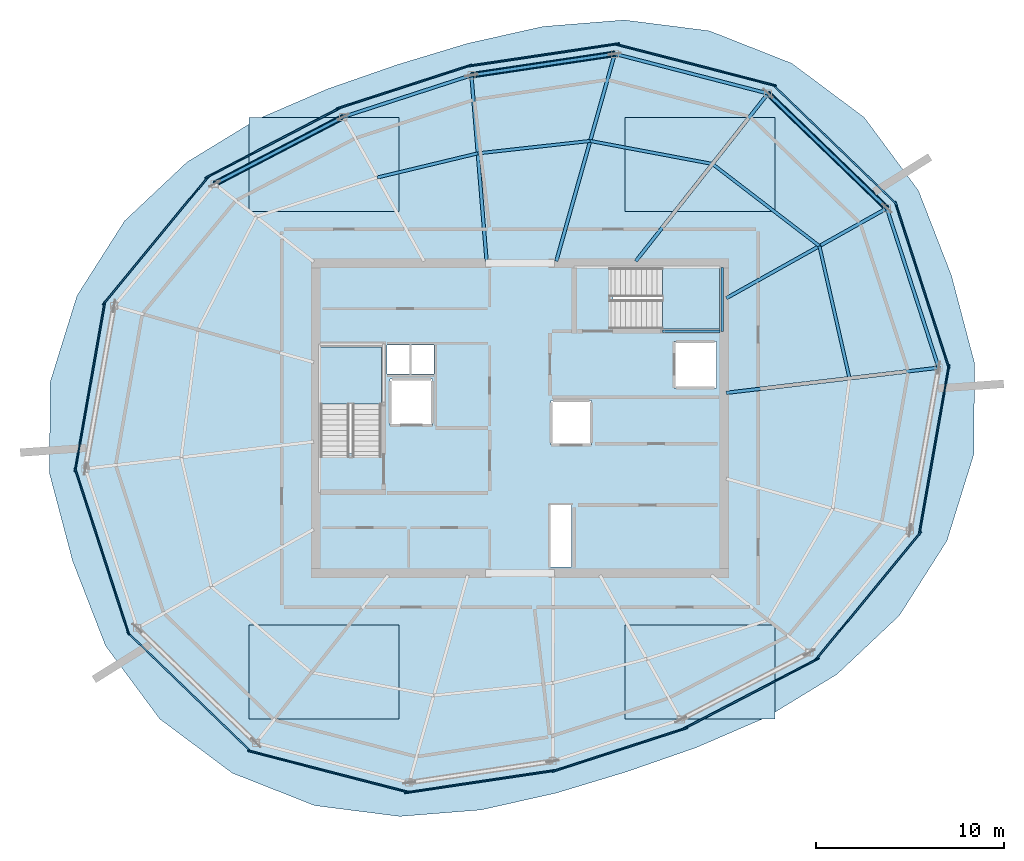
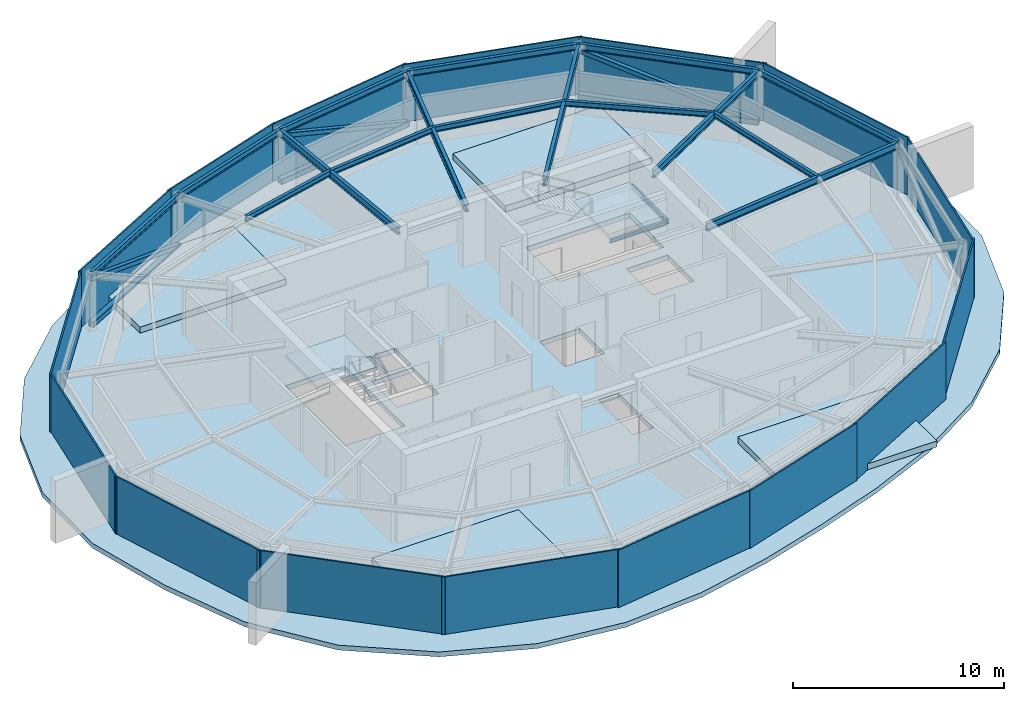
# One storey, part 5 of 10: 18 beams, 16 plates, 7 slabs, 6 members, 2 elements without a shape of their own.
"""IFC4 building model written with IfcOpenShell, lengths in metres."""

from ifc_helpers import new_model, si_unit, direction, frame, origin, origin_2d, place, context, subcontext, project, spatial, polyline, rectangle, hollow_rectangle, i_section, outline, extrude, material, layer, layer_set, material_profile, profile_set, type_object, element, aggregate, save


model = new_model("IFC4")

# Units and contexts
model_context = context("Model", 3, precision=1e-05, world=origin(), true_north=direction((0.0, 1.0)))
body_context = subcontext(model_context, "Body", "Model", "MODEL_VIEW")
ifc_project = project(units=[si_unit("LENGTHUNIT", "METRE"), si_unit("AREAUNIT", "SQUARE_METRE"), si_unit("VOLUMEUNIT", "CUBIC_METRE"), si_unit("PLANEANGLEUNIT", "RADIAN"), si_unit("MASSUNIT", "GRAM", prefix="KILO")], contexts=[model_context])

# Site, building, storey
site_placement = place(None, origin())
site = spatial("IfcSite", under=ifc_project, at=site_placement, CompositionType="ELEMENT")
building_placement = place(site_placement, origin())
building = spatial("IfcBuilding", under=site, at=building_placement, Name="Kazma Halo Residences", CompositionType="ELEMENT")
storey_placement = place(building_placement, frame((0.0, 0.0, 363.199951171875)))
storey = spatial("IfcBuildingStorey", under=building, at=storey_placement, Name="L91", CompositionType="ELEMENT", Elevation=363.199951171875)

# Beams
ifc_material_1 = material(Name="Steel S355", Category="steel")
ifc_material_profile_1 = material_profile(ifc_material_1, i_section(OverallWidth=0.177978515625, OverallDepth=0.406982421875, WebThickness=0.0078125, FlangeThickness=0.0126953125, FilletRadius=0.013916015625, at=origin_2d()), Name="W410x60")
ifc_profile_set_1 = profile_set([ifc_material_profile_1], Name="Steel S355")
beam_type_1 = type_object("IfcBeamType", Name="BM-RAD-W410", PredefinedType="BEAM", material=ifc_profile_set_1)
beam_1_placement = place(storey_placement, frame((59.39990234375, 48.38427734375, 3.116455078125), z_axis=(0.872500487018, 0.488613241894, 0.0), x_axis=(-0.488613241894, 0.872500487018, 0.0)))
element("IfcBeam", 1, at=beam_1_placement, inside=storey, type_object=beam_type_1, Name="L91 radial floor beam 01", PredefinedType="BEAM", context=body_context, shape_type="SweptSolid", body=[
    extrude(i_section(OverallWidth=0.177978515625, OverallDepth=0.406982421875, WebThickness=0.0078125, FlangeThickness=0.0126953125, FilletRadius=0.013916015625, at=origin_2d()), origin(), (0.0, 0.0, 1.0), 9.788818359375),
])
beam_2_placement = place(storey_placement, frame((54.58251953125, 50.35009765625, 3.116455078125), z_axis=(0.619100773028, 0.785311551447, 0.0), x_axis=(-0.785311551447, 0.619100773028, 0.0)))
element("IfcBeam", 2, at=beam_2_placement, inside=storey, type_object=beam_type_1, Name="L91 radial floor beam 02", PredefinedType="BEAM", context=body_context, shape_type="SweptSolid", body=[
    extrude(i_section(OverallWidth=0.177978515625, OverallDepth=0.406982421875, WebThickness=0.0078125, FlangeThickness=0.0126953125, FilletRadius=0.013916015625, at=origin_2d()), origin(), (0.0, 0.0, 1.0), 11.363037109375),
])
beam_3_placement = place(storey_placement, frame((50.35498046875, 50.35009765625, 3.116455078125), z_axis=(0.271433859027, 0.962457095238, 0.0), x_axis=(-0.962457095238, 0.271433859027, 0.0)))
element("IfcBeam", 3, at=beam_3_placement, inside=storey, type_object=beam_type_1, Name="L91 radial floor beam 03", PredefinedType="BEAM", context=body_context, shape_type="SweptSolid", body=[
    extrude(i_section(OverallWidth=0.177978515625, OverallDepth=0.406982421875, WebThickness=0.0078125, FlangeThickness=0.0126953125, FilletRadius=0.013916015625, at=origin_2d()), origin(), (0.0, 0.0, 1.0), 11.462646484375),
])
beam_4_placement = place(storey_placement, frame((46.64990234375, 50.35009765625, 3.116455078125), z_axis=(-0.081506605081, 0.996672801539, 0.0), x_axis=(-0.996672801539, -0.081506605081, 0.0)))
element("IfcBeam", 4, at=beam_4_placement, inside=storey, type_object=beam_type_1, Name="L91 radial floor beam 04", PredefinedType="BEAM", context=body_context, shape_type="SweptSolid", body=[
    extrude(i_section(OverallWidth=0.177978515625, OverallDepth=0.406982421875, WebThickness=0.0078125, FlangeThickness=0.0126953125, FilletRadius=0.013916015625, at=origin_2d()), origin(), (0.0, 0.0, 1.0), 9.926513671875),
])
beam_5_placement = place(storey_placement, frame((59.39990234375, 43.349365234375, 3.116455078125), z_axis=(0.993069497533, 0.117528605327, 0.0), x_axis=(-0.117528605327, 0.993069497533, 0.0)))
element("IfcBeam", 5, at=beam_5_placement, inside=storey, type_object=beam_type_1, Name="L91 radial floor beam 16", PredefinedType="BEAM", context=body_context, shape_type="SweptSolid", body=[
    extrude(i_section(OverallWidth=0.177978515625, OverallDepth=0.406982421875, WebThickness=0.0078125, FlangeThickness=0.0126953125, FilletRadius=0.013916015625, at=origin_2d()), origin(), (0.0, 0.0, 1.0), 11.375244140625),
])
ifc_material_profile_2 = material_profile(ifc_material_1, i_section(OverallWidth=0.1650390625, OverallDepth=0.31005859375, WebThickness=0.005859375, FlangeThickness=0.009765625, FilletRadius=0.011962890625, at=origin_2d()), Name="W310x38.7")
ifc_profile_set_2 = profile_set([ifc_material_profile_2], Name="Steel S355")
beam_type_2 = type_object("IfcBeamType", Name="BM-SEC-W310B", PredefinedType="JOIST", material=ifc_profile_set_2)
beam_6_placement = place(storey_placement, frame((64.353515625, 51.158447265625, 3.1650390625), z_axis=(-0.793314295729, 0.608812309494, 0.0), x_axis=(-0.608812309494, -0.793314295729, 0.0)))
element("IfcBeam", 6, at=beam_6_placement, inside=storey, type_object=beam_type_2, Name="L91 circumferential floor joist 01", PredefinedType="JOIST", context=body_context, shape_type="SweptSolid", body=[
    extrude(i_section(OverallWidth=0.1650390625, OverallDepth=0.31005859375, WebThickness=0.005859375, FlangeThickness=0.009765625, FilletRadius=0.011962890625, at=origin_2d()), origin(), (0.0, 0.0, 1.0), 7.17333984375),
])
beam_7_placement = place(storey_placement, frame((58.662841796875, 55.525634765625, 3.1650390625), z_axis=(-0.982768028721, 0.184843181435, 0.0), x_axis=(-0.184843181435, -0.982768028721, 0.0)))
element("IfcBeam", 7, at=beam_7_placement, inside=storey, type_object=beam_type_2, Name="L91 circumferential floor joist 02", PredefinedType="JOIST", context=body_context, shape_type="SweptSolid", body=[
    extrude(i_section(OverallWidth=0.1650390625, OverallDepth=0.31005859375, WebThickness=0.005859375, FlangeThickness=0.009765625, FilletRadius=0.011962890625, at=origin_2d()), origin(), (0.0, 0.0, 1.0), 6.6171875),
])
beam_8_placement = place(storey_placement, frame((52.15966796875, 56.748779296875, 3.1650390625), z_axis=(-0.993955293014, -0.109785588714, 0.0), x_axis=(0.109785588714, -0.993955293014, 0.0)))
element("IfcBeam", 8, at=beam_8_placement, inside=storey, type_object=beam_type_2, Name="L91 circumferential floor joist 03", PredefinedType="JOIST", context=body_context, shape_type="SweptSolid", body=[
    extrude(i_section(OverallWidth=0.1650390625, OverallDepth=0.31005859375, WebThickness=0.005859375, FlangeThickness=0.009765625, FilletRadius=0.011962890625, at=origin_2d()), origin(), (0.0, 0.0, 1.0), 6.015380859375),
])
beam_9_placement = place(storey_placement, frame((46.1806640625, 56.08837890625, 3.1650390625), z_axis=(-0.972370386067, -0.233443424194, 0.0), x_axis=(0.233443424194, -0.972370386067, 0.0)))
element("IfcBeam", 9, at=beam_9_placement, inside=storey, type_object=beam_type_2, Name="L91 circumferential floor joist 04", PredefinedType="JOIST", context=body_context, shape_type="SweptSolid", body=[
    extrude(i_section(OverallWidth=0.1650390625, OverallDepth=0.31005859375, WebThickness=0.005859375, FlangeThickness=0.009765625, FilletRadius=0.011962890625, at=origin_2d()), origin(), (0.0, 0.0, 1.0), 5.503173828125),
])
beam_10_placement = place(storey_placement, frame((65.951904296875, 44.124755859375, 3.1650390625), z_axis=(-0.221597696416, 0.975138175308, 0.0), x_axis=(-0.975138175308, -0.221597696416, 0.0)))
element("IfcBeam", 10, at=beam_10_placement, inside=storey, type_object=beam_type_2, Name="L91 circumferential floor joist 16", PredefinedType="JOIST", context=body_context, shape_type="SweptSolid", body=[
    extrude(i_section(OverallWidth=0.1650390625, OverallDepth=0.31005859375, WebThickness=0.005859375, FlangeThickness=0.009765625, FilletRadius=0.011962890625, at=origin_2d()), origin(), (0.0, 0.0, 1.0), 7.213134765625),
])
ifc_material_profile_3 = material_profile(ifc_material_1, i_section(OverallWidth=0.1708984375, OverallDepth=0.35498046875, WebThickness=0.007080078125, FlangeThickness=0.01171875, FilletRadius=0.013916015625, at=origin_2d()), Name="W360x51")
ifc_profile_set_3 = profile_set([ifc_material_profile_3], Name="Steel S355")
beam_type_3 = type_object("IfcBeamType", Name="BM-SPN-W360", PredefinedType="BEAM", material=ifc_profile_set_3)
beam_11_placement = place(storey_placement, frame((67.940673828125, 53.167236328125, 3.142578125), z_axis=(-0.719330630477, 0.694667866003, 0.0), x_axis=(-0.694667866003, -0.719330630477, 0.0)))
element("IfcBeam", 11, at=beam_11_placement, inside=storey, type_object=beam_type_3, Name="L91 CROWN FRAME ring beam 01", PredefinedType="BEAM", context=body_context, shape_type="SweptSolid", body=[
    extrude(i_section(OverallWidth=0.1708984375, OverallDepth=0.35498046875, WebThickness=0.007080078125, FlangeThickness=0.01171875, FilletRadius=0.013916015625, at=origin_2d()), origin(), (0.0, 0.0, 1.0), 8.79052734375),
])
beam_12_placement = place(storey_placement, frame((61.617431640625, 59.273681640625, 3.142578125), z_axis=(-0.968129821283, 0.250448895271, 0.0), x_axis=(-0.250448895271, -0.968129821283, 0.0)))
element("IfcBeam", 12, at=beam_12_placement, inside=storey, type_object=beam_type_3, Name="L91 CROWN FRAME ring beam 02", PredefinedType="BEAM", context=body_context, shape_type="SweptSolid", body=[
    extrude(i_section(OverallWidth=0.1708984375, OverallDepth=0.35498046875, WebThickness=0.007080078125, FlangeThickness=0.01171875, FilletRadius=0.013916015625, at=origin_2d()), origin(), (0.0, 0.0, 1.0), 8.41943359375),
])
beam_13_placement = place(storey_placement, frame((53.46630859375, 61.38232421875, 3.142578125), z_axis=(-0.989034152337, -0.147686984904, 0.0), x_axis=(0.147686984904, -0.989034152337, 0.0)))
element("IfcBeam", 13, at=beam_13_placement, inside=storey, type_object=beam_type_3, Name="L91 CROWN FRAME ring beam 03", PredefinedType="BEAM", context=body_context, shape_type="SweptSolid", body=[
    extrude(i_section(OverallWidth=0.1708984375, OverallDepth=0.35498046875, WebThickness=0.007080078125, FlangeThickness=0.01171875, FilletRadius=0.013916015625, at=origin_2d()), origin(), (0.0, 0.0, 1.0), 7.7099609375),
])
beam_14_placement = place(storey_placement, frame((45.8408203125, 60.24365234375, 3.142578125), z_axis=(-0.951067102, -0.308984413026, 0.0), x_axis=(0.308984413026, -0.951067102, 0.0)))
element("IfcBeam", 14, at=beam_14_placement, inside=storey, type_object=beam_type_3, Name="L91 CROWN FRAME ring beam 04", PredefinedType="BEAM", context=body_context, shape_type="SweptSolid", body=[
    extrude(i_section(OverallWidth=0.1708984375, OverallDepth=0.35498046875, WebThickness=0.007080078125, FlangeThickness=0.01171875, FilletRadius=0.013916015625, at=origin_2d()), origin(), (0.0, 0.0, 1.0), 7.168212890625),
])
beam_15_placement = place(storey_placement, frame((39.0234375, 58.02880859375, 3.142578125), z_axis=(-0.886940838721, -0.461883046461, 0.0), x_axis=(0.461883046461, -0.886940838721, 0.0)))
element("IfcBeam", 15, at=beam_15_placement, inside=storey, type_object=beam_type_3, Name="L91 CROWN FRAME ring beam 05", PredefinedType="BEAM", context=body_context, shape_type="SweptSolid", body=[
    extrude(i_section(OverallWidth=0.1708984375, OverallDepth=0.35498046875, WebThickness=0.007080078125, FlangeThickness=0.01171875, FilletRadius=0.013916015625, at=origin_2d()), origin(), (0.0, 0.0, 1.0), 7.71044921875),
])
beam_16_placement = place(storey_placement, frame((70.6962890625, 44.686279296875, 3.142578125), z_axis=(-0.309015498459, 0.951057002346, 0.0), x_axis=(-0.951057002346, -0.309015498459, 0.0)))
element("IfcBeam", 16, at=beam_16_placement, inside=storey, type_object=beam_type_3, Name="L91 CROWN FRAME ring beam 16", PredefinedType="BEAM", context=body_context, shape_type="SweptSolid", body=[
    extrude(i_section(OverallWidth=0.1708984375, OverallDepth=0.35498046875, WebThickness=0.007080078125, FlangeThickness=0.01171875, FilletRadius=0.013916015625, at=origin_2d()), origin(), (0.0, 0.0, 1.0), 8.91748046875),
])
ifc_material_profile_4 = material_profile(ifc_material_1, i_section(OverallWidth=0.133056640625, OverallDepth=0.20703125, WebThickness=0.005859375, FlangeThickness=0.00830078125, FilletRadius=0.010009765625, at=origin_2d()), Name="W200x26.6")
ifc_profile_set_4 = profile_set([ifc_material_profile_4], Name="Steel S355")
beam_type_4 = type_object("IfcBeamType", Name="BM-TRIM-W200", PredefinedType="BEAM", material=ifc_profile_set_4)
beam_17_placement = place(storey_placement, frame((56.0, 46.6201171875, 1.4951171875), z_axis=(1.0, 0.0, 0.0), x_axis=(0.0, 1.0, 0.0)))
element("IfcBeam", 17, at=beam_17_placement, inside=storey, type_object=beam_type_4, Name="L91 ST-02 landing south wall ledger", PredefinedType="BEAM", context=body_context, shape_type="SweptSolid", body=[
    extrude(i_section(OverallWidth=0.133056640625, OverallDepth=0.20703125, WebThickness=0.005859375, FlangeThickness=0.00830078125, FilletRadius=0.010009765625, at=origin_2d()), origin(), (0.0, 0.0, 1.0), 3.070068359375),
])
beam_18_placement = place(storey_placement, frame((59.18994140625, 46.6201171875, 1.4951171875), z_axis=(0.0, 1.0, 0.0), x_axis=(-1.0, 0.0, 0.0)))
element("IfcBeam", 18, at=beam_18_placement, inside=storey, type_object=beam_type_4, Name="L91 ST-02 landing end wall ledger", PredefinedType="BEAM", context=body_context, shape_type="SweptSolid", body=[
    extrude(i_section(OverallWidth=0.133056640625, OverallDepth=0.20703125, WebThickness=0.005859375, FlangeThickness=0.00830078125, FilletRadius=0.010009765625, at=origin_2d()), origin(), (0.0, 0.0, 1.0), 3.39990234375),
])

# Members
ifc_material_profile_5 = material_profile(ifc_material_1, hollow_rectangle(XDim=0.25, YDim=0.25, WallThickness=0.010009765625, InnerFilletRadius=0.010009765625, OuterFilletRadius=0.02001953125, at=origin_2d()), Name="SHS250x250x10")
ifc_profile_set_5 = profile_set([ifc_material_profile_5], Name="Steel S355")
member_type_1 = type_object("IfcMemberType", Name="MBR-CRWN-SHS250", PredefinedType="BRACE", material=ifc_profile_set_5)
member_1_placement = place(storey_placement, frame((67.940673828125, 53.167236328125, 0.280029296875), z_axis=(-0.688500856282, 0.664895112638, 0.289622271397), x_axis=(-0.694667866003, -0.719330630477, 0.0)))
element("IfcMember", 19, at=member_1_placement, inside=storey, type_object=member_type_1, Name="L91 CROWN FRAME diagonal brace 01", PredefinedType="BRACE", context=body_context, shape_type="SweptSolid", body=[
    extrude(hollow_rectangle(XDim=0.25, YDim=0.25, WallThickness=0.010009765625, InnerFilletRadius=0.010009765625, OuterFilletRadius=0.02001953125, at=origin_2d()), origin(), (0.0, 0.0, 1.0), 9.18408203125),
])
member_2_placement = place(storey_placement, frame((53.46630859375, 61.38232421875, 0.280029296875), z_axis=(-0.934958348146, -0.139612144962, 0.326130857497), x_axis=(0.147686984904, -0.989034152337, 0.0)))
element("IfcMember", 20, at=member_2_placement, inside=storey, type_object=member_type_1, Name="L91 CROWN FRAME diagonal brace 03", PredefinedType="BRACE", context=body_context, shape_type="SweptSolid", body=[
    extrude(hollow_rectangle(XDim=0.25, YDim=0.25, WallThickness=0.010009765625, InnerFilletRadius=0.010009765625, OuterFilletRadius=0.02001953125, at=origin_2d()), origin(), (0.0, 0.0, 1.0), 8.156005859375),
])
member_3_placement = place(storey_placement, frame((39.0234375, 58.02880859375, 0.280029296875), z_axis=(-0.838450646682, -0.436631308527, 0.326119017372), x_axis=(0.461883046461, -0.886940838721, 0.0)))
element("IfcMember", 21, at=member_3_placement, inside=storey, type_object=member_type_1, Name="L91 CROWN FRAME diagonal brace 05", PredefinedType="BRACE", context=body_context, shape_type="SweptSolid", body=[
    extrude(hollow_rectangle(XDim=0.25, YDim=0.25, WallThickness=0.010009765625, InnerFilletRadius=0.010009765625, OuterFilletRadius=0.02001953125, at=origin_2d()), origin(), (0.0, 0.0, 1.0), 8.15625),
])
ifc_material_profile_6 = material_profile(ifc_material_1, hollow_rectangle(XDim=0.300048828125, YDim=0.300048828125, WallThickness=0.012451171875, InnerFilletRadius=0.012451171875, OuterFilletRadius=0.02490234375, at=origin_2d()), Name="SHS300x300x12.5")
ifc_profile_set_6 = profile_set([ifc_material_profile_6], Name="Steel S355")
member_type_2 = type_object("IfcMemberType", Name="MBR-CRWN-SHS300", PredefinedType="CHORD", material=ifc_profile_set_6)
member_4_placement = place(storey_placement, frame((67.940673828125, 53.167236328125, 0.280029296875), z_axis=(-0.719330630477, 0.694667866003, 0.0), x_axis=(-0.694667866003, -0.719330630477, 0.0)))
element("IfcMember", 22, at=member_4_placement, inside=storey, type_object=member_type_2, Name="L91 CROWN FRAME horizontal ring chord 01", PredefinedType="CHORD", context=body_context, shape_type="SweptSolid", body=[
    extrude(hollow_rectangle(XDim=0.300048828125, YDim=0.300048828125, WallThickness=0.012451171875, InnerFilletRadius=0.012451171875, OuterFilletRadius=0.02490234375, at=origin_2d()), origin(), (0.0, 0.0, 1.0), 8.79052734375),
])
member_5_placement = place(storey_placement, frame((53.46630859375, 61.38232421875, 0.280029296875), z_axis=(-0.989034152337, -0.147686984904, 0.0), x_axis=(0.147686984904, -0.989034152337, 0.0)))
element("IfcMember", 23, at=member_5_placement, inside=storey, type_object=member_type_2, Name="L91 CROWN FRAME horizontal ring chord 03", PredefinedType="CHORD", context=body_context, shape_type="SweptSolid", body=[
    extrude(hollow_rectangle(XDim=0.300048828125, YDim=0.300048828125, WallThickness=0.012451171875, InnerFilletRadius=0.012451171875, OuterFilletRadius=0.02490234375, at=origin_2d()), origin(), (0.0, 0.0, 1.0), 7.7099609375),
])
member_6_placement = place(storey_placement, frame((39.0234375, 58.02880859375, 0.280029296875), z_axis=(-0.886940838721, -0.461883046461, 0.0), x_axis=(0.461883046461, -0.886940838721, 0.0)))
element("IfcMember", 24, at=member_6_placement, inside=storey, type_object=member_type_2, Name="L91 CROWN FRAME horizontal ring chord 05", PredefinedType="CHORD", context=body_context, shape_type="SweptSolid", body=[
    extrude(hollow_rectangle(XDim=0.300048828125, YDim=0.300048828125, WallThickness=0.012451171875, InnerFilletRadius=0.012451171875, OuterFilletRadius=0.02490234375, at=origin_2d()), origin(), (0.0, 0.0, 1.0), 7.71044921875),
])

# Plates
ifc_material_2 = material(Name="Aluminium AW-6063 T6 Perforated Acoustic Louvre Screen", Category="aluminium")
ifc_layer_1 = layer(ifc_material_2, 0.080078125)
ifc_layer_set_1 = layer_set([ifc_layer_1], Name="Aluminium AW-6063 T6 Perforated Acoustic Louvre Screen")
plate_type = type_object("IfcPlateType", Name="PLT-CROWN-LOUVRE", PredefinedType="SHEET", material=ifc_layer_set_1)
plate_1_placement = place(storey_placement, frame((65.17578125, 56.556640625, 0.0), z_axis=(0.0, 0.0, 1.0), x_axis=(-0.719342064482, 0.694656025863, 0.0)))
element("IfcPlate", 25, at=plate_1_placement, inside=storey, type_object=plate_type, Name="L91 pale-metal acoustic louvre screen 01", PredefinedType="SHEET", context=body_context, shape_type="SweptSolid", body=[
    extrude(rectangle(XDim=9.1904296875, YDim=0.080078125, at=origin_2d()), origin(), (0.0, 0.0, 1.0), 3.320068359375),
])
plate_2_placement = place(storey_placement, frame((57.781982421875, 60.789306640625, 0.0), z_axis=(0.0, 0.0, 1.0), x_axis=(-0.968124370805, 0.250469963576, 0.0)))
element("IfcPlate", 26, at=plate_2_placement, inside=storey, type_object=plate_type, Name="L91 pale-metal acoustic louvre screen 02", PredefinedType="SHEET", context=body_context, shape_type="SweptSolid", body=[
    extrude(rectangle(XDim=8.8193359375, YDim=0.080078125, at=origin_2d()), origin(), (0.0, 0.0, 1.0), 3.320068359375),
])
plate_3_placement = place(storey_placement, frame((49.69921875, 61.3310546875, 0.0), z_axis=(0.0, 0.0, 1.0), x_axis=(-0.98903421845, -0.147686542161, 0.0)))
element("IfcPlate", 27, at=plate_3_placement, inside=storey, type_object=plate_type, Name="L91 pale-metal acoustic louvre screen 03", PredefinedType="SHEET", context=body_context, shape_type="SweptSolid", body=[
    extrude(rectangle(XDim=8.110107421875, YDim=0.080078125, at=origin_2d()), origin(), (0.0, 0.0, 1.0), 3.320068359375),
])
plate_4_placement = place(storey_placement, frame((42.271484375, 59.630615234375, 0.0), z_axis=(0.0, 0.0, 1.0), x_axis=(-0.951058260985, -0.309011624721, 0.0)))
element("IfcPlate", 28, at=plate_4_placement, inside=storey, type_object=plate_type, Name="L91 pale-metal acoustic louvre screen 04", PredefinedType="SHEET", context=body_context, shape_type="SweptSolid", body=[
    extrude(rectangle(XDim=7.568115234375, YDim=0.080078125, at=origin_2d()), origin(), (0.0, 0.0, 1.0), 3.320068359375),
])
plate_5_placement = place(storey_placement, frame((35.262939453125, 56.640380859375, 0.0), z_axis=(0.0, 0.0, 1.0), x_axis=(-0.886949727325, -0.461865977529, 0.0)))
element("IfcPlate", 29, at=plate_5_placement, inside=storey, type_object=plate_type, Name="L91 pale-metal acoustic louvre screen 05", PredefinedType="SHEET", context=body_context, shape_type="SweptSolid", body=[
    extrude(rectangle(XDim=8.110107421875, YDim=0.080078125, at=origin_2d()), origin(), (0.0, 0.0, 1.0), 3.320068359375),
])
plate_6_placement = place(storey_placement, frame((29.0419921875, 51.451171875, 0.0), z_axis=(0.0, 0.0, 1.0), x_axis=(-0.636007787073, -0.771682638643, 0.0)))
element("IfcPlate", 30, at=plate_6_placement, inside=storey, type_object=plate_type, Name="L91 pale-metal acoustic louvre screen 06", PredefinedType="SHEET", context=body_context, shape_type="SweptSolid", body=[
    extrude(rectangle(XDim=8.8193359375, YDim=0.080078125, at=origin_2d()), origin(), (0.0, 0.0, 1.0), 3.320068359375),
])
plate_7_placement = place(storey_placement, frame((25.54833984375, 43.680908203125, 0.0), z_axis=(0.0, 0.0, 1.0), x_axis=(-0.173656186938, -0.984806340728, 0.0)))
element("IfcPlate", 31, at=plate_7_placement, inside=storey, type_object=plate_type, Name="L91 pale-metal acoustic louvre screen 07", PredefinedType="SHEET", context=body_context, shape_type="SweptSolid", body=[
    extrude(rectangle(XDim=9.1904296875, YDim=0.080078125, at=origin_2d()), origin(), (0.0, 0.0, 1.0), 3.320068359375),
])
plate_8_placement = place(storey_placement, frame((26.18701171875, 34.91259765625, 0.0), z_axis=(0.0, 0.0, 1.0), x_axis=(0.309022680214, -0.951054668835, 0.0)))
element("IfcPlate", 32, at=plate_8_placement, inside=storey, type_object=plate_type, Name="L91 pale-metal acoustic louvre screen 08", PredefinedType="SHEET", context=body_context, shape_type="SweptSolid", body=[
    extrude(rectangle(XDim=9.3173828125, YDim=0.080078125, at=origin_2d()), origin(), (0.0, 0.0, 1.0), 3.320068359375),
])
plate_9_placement = place(storey_placement, frame((30.82421875, 27.443359375, 0.0), z_axis=(0.0, 0.0, 1.0), x_axis=(0.719342064482, -0.694656025863, 0.0)))
element("IfcPlate", 33, at=plate_9_placement, inside=storey, type_object=plate_type, Name="L91 pale-metal acoustic louvre screen 09", PredefinedType="SHEET", context=body_context, shape_type="SweptSolid", body=[
    extrude(rectangle(XDim=9.1904296875, YDim=0.080078125, at=origin_2d()), origin(), (0.0, 0.0, 1.0), 3.320068359375),
])
plate_10_placement = place(storey_placement, frame((38.218017578125, 23.210693359375, 0.0), z_axis=(0.0, 0.0, 1.0), x_axis=(0.968124370805, -0.250469963576, 0.0)))
element("IfcPlate", 34, at=plate_10_placement, inside=storey, type_object=plate_type, Name="L91 pale-metal acoustic louvre screen 10", PredefinedType="SHEET", context=body_context, shape_type="SweptSolid", body=[
    extrude(rectangle(XDim=8.8193359375, YDim=0.080078125, at=origin_2d()), origin(), (0.0, 0.0, 1.0), 3.320068359375),
])
plate_11_placement = place(storey_placement, frame((46.30078125, 22.6689453125, 0.0), z_axis=(0.0, 0.0, 1.0), x_axis=(0.98903421845, 0.147686542161, 0.0)))
element("IfcPlate", 35, at=plate_11_placement, inside=storey, type_object=plate_type, Name="L91 pale-metal acoustic louvre screen 11", PredefinedType="SHEET", context=body_context, shape_type="SweptSolid", body=[
    extrude(rectangle(XDim=8.110107421875, YDim=0.080078125, at=origin_2d()), origin(), (0.0, 0.0, 1.0), 3.320068359375),
])
plate_12_placement = place(storey_placement, frame((53.728515625, 24.369384765625, 0.0), z_axis=(0.0, 0.0, 1.0), x_axis=(0.951058260985, 0.309011624721, 0.0)))
element("IfcPlate", 36, at=plate_12_placement, inside=storey, type_object=plate_type, Name="L91 pale-metal acoustic louvre screen 12", PredefinedType="SHEET", context=body_context, shape_type="SweptSolid", body=[
    extrude(rectangle(XDim=7.568115234375, YDim=0.080078125, at=origin_2d()), origin(), (0.0, 0.0, 1.0), 3.320068359375),
])
plate_13_placement = place(storey_placement, frame((60.737060546875, 27.359619140625, 0.0), z_axis=(0.0, 0.0, 1.0), x_axis=(0.886949727325, 0.461865977529, 0.0)))
element("IfcPlate", 37, at=plate_13_placement, inside=storey, type_object=plate_type, Name="L91 pale-metal acoustic louvre screen 13", PredefinedType="SHEET", context=body_context, shape_type="SweptSolid", body=[
    extrude(rectangle(XDim=8.110107421875, YDim=0.080078125, at=origin_2d()), origin(), (0.0, 0.0, 1.0), 3.320068359375),
])
plate_14_placement = place(storey_placement, frame((66.9580078125, 32.548828125, 0.0), z_axis=(0.0, 0.0, 1.0), x_axis=(0.636007787073, 0.771682638643, 0.0)))
element("IfcPlate", 38, at=plate_14_placement, inside=storey, type_object=plate_type, Name="L91 pale-metal acoustic louvre screen 14", PredefinedType="SHEET", context=body_context, shape_type="SweptSolid", body=[
    extrude(rectangle(XDim=8.8193359375, YDim=0.080078125, at=origin_2d()), origin(), (0.0, 0.0, 1.0), 3.320068359375),
])
plate_15_placement = place(storey_placement, frame((70.45166015625, 40.319091796875, 0.0), z_axis=(0.0, 0.0, 1.0), x_axis=(0.173656186938, 0.984806340728, 0.0)))
element("IfcPlate", 39, at=plate_15_placement, inside=storey, type_object=plate_type, Name="L91 pale-metal acoustic louvre screen 15", PredefinedType="SHEET", context=body_context, shape_type="SweptSolid", body=[
    extrude(rectangle(XDim=9.1904296875, YDim=0.080078125, at=origin_2d()), origin(), (0.0, 0.0, 1.0), 3.320068359375),
])
plate_16_placement = place(storey_placement, frame((69.81298828125, 49.08740234375, 0.0), z_axis=(0.0, 0.0, 1.0), x_axis=(-0.309022680214, 0.951054668835, 0.0)))
element("IfcPlate", 40, at=plate_16_placement, inside=storey, type_object=plate_type, Name="L91 pale-metal acoustic louvre screen 16", PredefinedType="SHEET", context=body_context, shape_type="SweptSolid", body=[
    extrude(rectangle(XDim=9.3173828125, YDim=0.080078125, at=origin_2d()), origin(), (0.0, 0.0, 1.0), 3.320068359375),
])

# Slabs
ifc_material_3 = material(Name="Concrete C50/60", Category="concrete")
ifc_layer_2 = layer(ifc_material_3, 0.280029296875)
ifc_layer_set_2 = layer_set([ifc_layer_2], Name="Concrete C50/60")
slab_type_1 = type_object("IfcSlabType", Name="SLB-MEP-280", PredefinedType="FLOOR", material=ifc_layer_set_2)
slab_1_placement = place(storey_placement, frame((0.0, 0.0, -0.280029296875)))
element("IfcSlab", 41, at=slab_1_placement, inside=storey, type_object=slab_type_1, Name="L91 structural floor slab", PredefinedType="FLOOR", context=body_context, shape_type="SweptSolid", body=[
    extrude(outline(polyline([(71.375, 49.594970703125), (69.62158203125, 54.108642578125), (66.736572265625, 58.00244140625), (62.88232421875, 60.878173828125), (58.49951171875, 62.606201171875), (53.97412109375, 63.18310546875), (49.639892578125, 62.836181640625), (45.64013671875, 61.9384765625), (41.889892578125, 60.80517578125), (38.189697265625, 59.517578125), (34.426025390625, 57.89306640625), (30.7158203125, 55.625732421875), (27.393798828125, 52.49951171875), (24.863525390625, 48.525146484375), (23.435791015625, 43.93310546875), (23.390380859375, 39.08740234375), (24.625, 34.405029296875), (26.37841796875, 29.891357421875), (29.263427734375, 25.99755859375), (33.11767578125, 23.121826171875), (37.50048828125, 21.393798828125), (42.02587890625, 20.81689453125), (46.360107421875, 21.163818359375), (50.35986328125, 22.0615234375), (54.110107421875, 23.19482421875), (57.810302734375, 24.482421875), (61.573974609375, 26.10693359375), (65.2841796875, 28.374267578125), (68.606201171875, 31.50048828125), (71.136474609375, 35.474853515625), (72.564208984375, 40.06689453125), (72.609619140625, 44.91259765625), (71.375, 49.594970703125)]), holes=[polyline([(37.800048828125, 40.110107421875), (41.050048828125, 40.110107421875), (41.050048828125, 45.800048828125), (37.800048828125, 45.800048828125), (37.800048828125, 40.110107421875)]), polyline([(53.360107421875, 46.75), (59.050048828125, 46.75), (59.050048828125, 50.0), (53.360107421875, 50.0), (53.360107421875, 46.75)]), polyline([(41.52001953125, 41.6201171875), (43.780029296875, 41.6201171875), (43.780029296875, 44.080078125), (41.52001953125, 44.080078125), (41.52001953125, 41.6201171875)]), polyline([(56.6201171875, 43.6201171875), (58.8798828125, 43.6201171875), (58.8798828125, 46.080078125), (56.6201171875, 46.080078125), (56.6201171875, 43.6201171875)]), polyline([(50.070068359375, 40.570068359375), (52.22998046875, 40.570068359375), (52.22998046875, 42.929931640625), (50.070068359375, 42.929931640625), (50.070068359375, 40.570068359375)]), polyline([(41.360107421875, 44.340087890625), (42.5400390625, 44.340087890625), (42.5400390625, 45.89990234375), (41.360107421875, 45.89990234375), (41.360107421875, 44.340087890625)]), polyline([(42.659912109375, 44.340087890625), (43.840087890625, 44.340087890625), (43.840087890625, 45.89990234375), (42.659912109375, 45.89990234375), (42.659912109375, 44.340087890625)]), polyline([(50.06005859375, 34.080078125), (51.159912109375, 34.080078125), (51.159912109375, 37.3798828125), (50.06005859375, 37.3798828125), (50.06005859375, 34.080078125)])]), origin(), (0.0, 0.0, 1.0), 0.280029296875),
])
ifc_layer_3 = layer(ifc_material_3, 0.35009765625)
ifc_layer_set_3 = layer_set([ifc_layer_3], Name="Concrete C50/60")
slab_type_2 = type_object("IfcSlabType", Name="SLB-PLINTH-350", PredefinedType="FLOOR", material=ifc_layer_set_3)
slab_2_placement = place(storey_placement, origin())
element("IfcSlab", 42, at=slab_2_placement, inside=storey, type_object=slab_type_2, Name="L91 mechanical chiller and cooling-tower plinth 1", PredefinedType="FLOOR", context=body_context, shape_type="SweptSolid", body=[
    extrude(outline(polyline([(34.0, 26.0), (42.0, 26.0), (42.0, 31.0), (34.0, 31.0), (34.0, 26.0)])), origin(), (0.0, 0.0, 1.0), 0.35009765625),
])
slab_3_placement = place(storey_placement, origin())
element("IfcSlab", 43, at=slab_3_placement, inside=storey, type_object=slab_type_2, Name="L91 mechanical chiller and cooling-tower plinth 2", PredefinedType="FLOOR", context=body_context, shape_type="SweptSolid", body=[
    extrude(outline(polyline([(54.0, 26.0), (62.0, 26.0), (62.0, 31.0), (54.0, 31.0), (54.0, 26.0)])), origin(), (0.0, 0.0, 1.0), 0.35009765625),
])
slab_4_placement = place(storey_placement, origin())
element("IfcSlab", 44, at=slab_4_placement, inside=storey, type_object=slab_type_2, Name="L91 mechanical chiller and cooling-tower plinth 3", PredefinedType="FLOOR", context=body_context, shape_type="SweptSolid", body=[
    extrude(outline(polyline([(34.0, 53.0), (42.0, 53.0), (42.0, 58.0), (34.0, 58.0), (34.0, 53.0)])), origin(), (0.0, 0.0, 1.0), 0.35009765625),
])
slab_5_placement = place(storey_placement, origin())
element("IfcSlab", 45, at=slab_5_placement, inside=storey, type_object=slab_type_2, Name="L91 mechanical chiller and cooling-tower plinth 4", PredefinedType="FLOOR", context=body_context, shape_type="SweptSolid", body=[
    extrude(outline(polyline([(54.0, 53.0), (62.0, 53.0), (62.0, 58.0), (54.0, 58.0), (54.0, 53.0)])), origin(), (0.0, 0.0, 1.0), 0.35009765625),
])

# Stair, slab
stair_type = type_object("IfcStairType", Name="STR-CRWN", PredefinedType="HALF_TURN_STAIR", material=ifc_material_3)
stair_1_placement = place(storey_placement, origin())
stair_1 = element("IfcStair", 46, at=stair_1_placement, inside=storey, type_object=stair_type, Name="L91 Core exit stair ST-01", PredefinedType="HALF_TURN_STAIR")
ifc_layer_4 = layer(ifc_material_3, 0.199951171875)
ifc_layer_set_4 = layer_set([ifc_layer_4], Name="Concrete C50/60")
slab_type_3 = type_object("IfcSlabType", Name="SLB-STAIR-LND-200", PredefinedType="LANDING", material=ifc_layer_set_4)
slab_6_placement = place(storey_placement, frame((0.0, 0.0, 1.60009765625)))
slab_6 = element("IfcSlab", 47, at=slab_6_placement, type_object=slab_type_3, Name="ST-01 landing 1", PredefinedType="LANDING", context=body_context, shape_type="SweptSolid", body=[
    extrude(outline(polyline([(41.050048828125, 42.75), (41.050048828125, 45.800048828125), (37.800048828125, 45.800048828125), (37.800048828125, 42.75), (41.050048828125, 42.75)])), origin(), (0.0, 0.0, 1.0), 0.199951171875),
])
aggregate(stair_1, [slab_6])

stair_2_placement = place(storey_placement, origin())
stair_2 = element("IfcStair", 48, at=stair_2_placement, inside=storey, type_object=stair_type, Name="L91 Core exit stair ST-02", PredefinedType="HALF_TURN_STAIR")
slab_7_placement = place(storey_placement, frame((0.0, 0.0, 1.60009765625)))
slab_7 = element("IfcSlab", 49, at=slab_7_placement, type_object=slab_type_3, Name="ST-02 landing 1", PredefinedType="LANDING", context=body_context, shape_type="SweptSolid", body=[
    extrude(outline(polyline([(56.0, 46.75), (59.050048828125, 46.75), (59.050048828125, 50.0), (56.0, 50.0), (56.0, 46.75)])), origin(), (0.0, 0.0, 1.0), 0.199951171875),
])
aggregate(stair_2, [slab_7])

save(model, "model.ifc")
